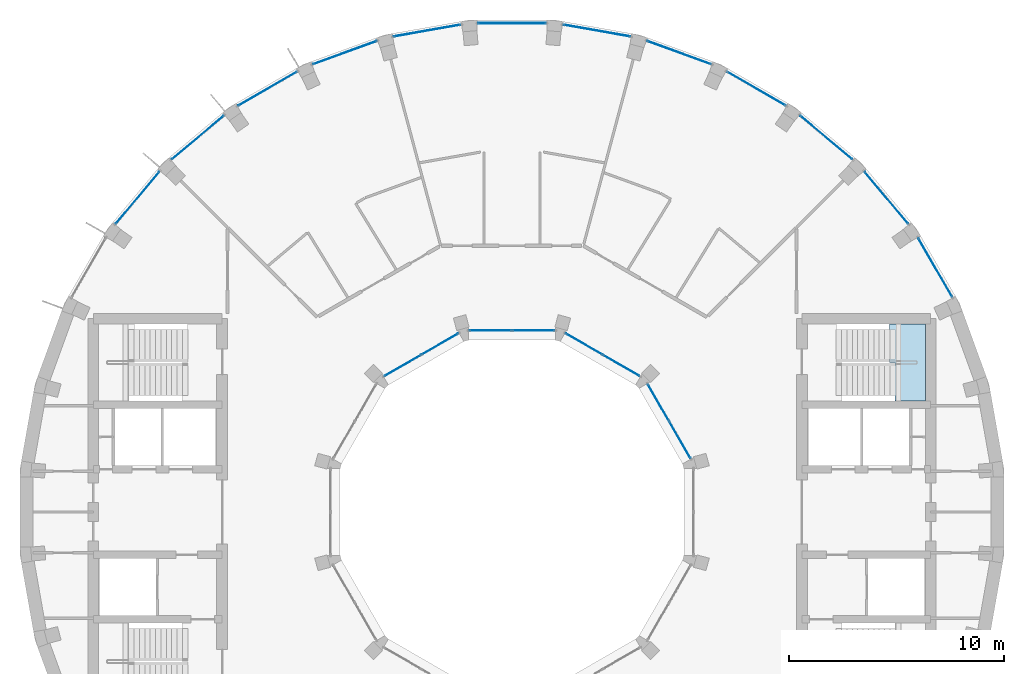
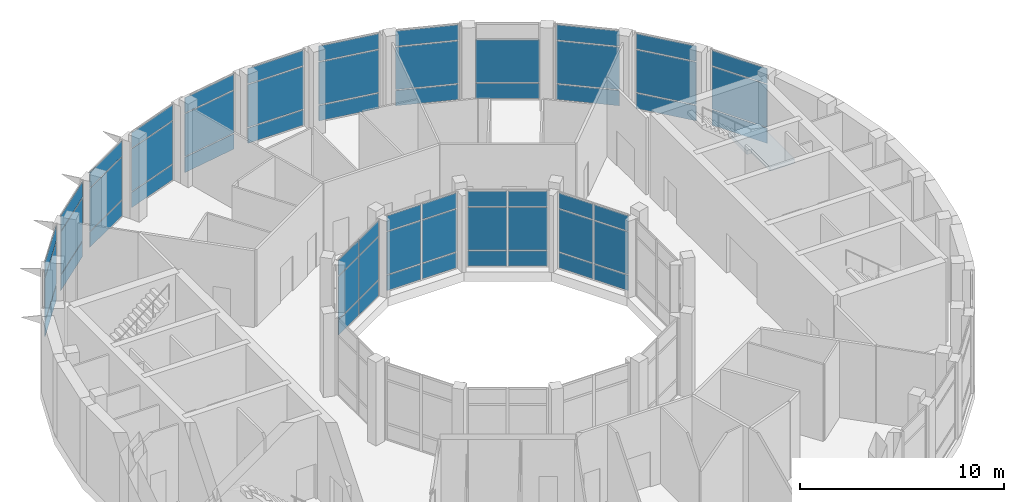
# One storey, part 12 of 19: 59 plates, 1 slab, 17 elements without a shape of their own.
"""IFC4 building model written with IfcOpenShell, lengths in metres."""

from ifc_helpers import new_model, si_unit, direction, frame, origin, origin_2d, place, context, subcontext, project, spatial, polyline, rectangle, outline, extrude, material, layer, layer_set, type_object, element, aggregate, save


model = new_model("IFC4")

# Units and contexts
model_context = context("Model", 3, precision=1e-05, world=origin(), true_north=direction((0.0, 1.0)))
body_context = subcontext(model_context, "Body", "Model", "MODEL_VIEW")
ifc_project = project(units=[si_unit("LENGTHUNIT", "METRE"), si_unit("AREAUNIT", "SQUARE_METRE"), si_unit("VOLUMEUNIT", "CUBIC_METRE"), si_unit("PLANEANGLEUNIT", "RADIAN"), si_unit("MASSUNIT", "GRAM", prefix="KILO")], contexts=[model_context])

# Site, building, storey
site_placement = place(None, origin())
site = spatial("IfcSite", under=ifc_project, at=site_placement, CompositionType="ELEMENT")
building_placement = place(site_placement, origin())
building = spatial("IfcBuilding", under=site, at=building_placement, Name="Saqina Gate Tower", CompositionType="ELEMENT")
storey_placement = place(building_placement, frame((0.0, 0.0, 224.699951171875)))
storey = spatial("IfcBuildingStorey", under=building, at=storey_placement, Name="L64", CompositionType="ELEMENT", Elevation=224.699951171875)

# Curtain wall, plates
ifc_material_1 = material(Name="Aluminium glazing", Category="aluminium")
ifc_layer_1 = layer(ifc_material_1, 0.159912109375)
ifc_layer_set_1 = layer_set([ifc_layer_1], Name="CWT-2")
curtain_wall_type_1 = type_object("IfcCurtainWallType", Name="CWT-2", PredefinedType="NOTDEFINED", material=ifc_layer_set_1)
curtain_wall_1_placement = place(storey_placement, origin())
curtain_wall_1 = element("IfcCurtainWall", 1, at=curtain_wall_1_placement, inside=storey, type_object=curtain_wall_type_1, Name="Sky lounge glazing facet 3", PredefinedType="NOTDEFINED")
ifc_material_2 = material(Name="Glass", Category="glass")
ifc_layer_2 = layer(ifc_material_2, 0.028076171875)
ifc_layer_set_2 = layer_set([ifc_layer_2], Name="CWT-2P")
plate_type_1 = type_object("IfcPlateType", Name="CWT-2P", PredefinedType="CURTAIN_PANEL", material=ifc_layer_set_2)
plate_1_placement = place(storey_placement, frame((19.712890625, 11.38134765625, 0.06005859375), z_axis=(0.0, 0.0, 1.0), x_axis=(-0.499982449212, 0.8660355365, 0.0)))
plate_1 = element("IfcPlate", 2, at=plate_1_placement, type_object=plate_type_1, Name="CW2-03 panel 1.1", PredefinedType="CURTAIN_PANEL", context=body_context, shape_type="SweptSolid", body=[
    extrude(rectangle(XDim=3.1318359375, YDim=0.028076171875, at=origin_2d()), origin(), (0.0, 0.0, 1.0), 0.909912109375),
])
plate_2_placement = place(storey_placement, frame((19.712890625, 11.38134765625, 1.030029296875), z_axis=(0.0, 0.0, 1.0), x_axis=(-0.499982449212, 0.8660355365, 0.0)))
plate_2 = element("IfcPlate", 3, at=plate_2_placement, type_object=plate_type_1, Name="CW2-03 panel 1.2", PredefinedType="CURTAIN_PANEL", context=body_context, shape_type="SweptSolid", body=[
    extrude(rectangle(XDim=3.1318359375, YDim=0.028076171875, at=origin_2d()), origin(), (0.0, 0.0, 1.0), 2.5400390625),
])
plate_3_placement = place(storey_placement, frame((19.712890625, 11.38134765625, 3.6298828125), z_axis=(0.0, 0.0, 1.0), x_axis=(-0.499982449212, 0.8660355365, 0.0)))
plate_3 = element("IfcPlate", 4, at=plate_3_placement, type_object=plate_type_1, Name="CW2-03 panel 1.3", PredefinedType="CURTAIN_PANEL", context=body_context, shape_type="SweptSolid", body=[
    extrude(rectangle(XDim=3.1318359375, YDim=0.028076171875, at=origin_2d()), origin(), (0.0, 0.0, 1.0), 0.909912109375),
])
aggregate(curtain_wall_1, [plate_1, plate_2, plate_3])

curtain_wall_2_placement = place(storey_placement, origin())
curtain_wall_2 = element("IfcCurtainWall", 5, at=curtain_wall_2_placement, inside=storey, type_object=curtain_wall_type_1, Name="Sky lounge glazing facet 4", PredefinedType="NOTDEFINED")
plate_4_placement = place(storey_placement, frame((17.43701171875, 14.63134765625, 0.06005859375), z_axis=(0.0, 0.0, 1.0), x_axis=(-0.642785214609, 0.766046452821, 0.0)))
plate_4 = element("IfcPlate", 6, at=plate_4_placement, type_object=plate_type_1, Name="CW2-04 panel 1.1", PredefinedType="CURTAIN_PANEL", context=body_context, shape_type="SweptSolid", body=[
    extrude(rectangle(XDim=3.131591796875, YDim=0.028076171875, at=origin_2d()), origin(), (0.0, 0.0, 1.0), 0.909912109375),
])
plate_5_placement = place(storey_placement, frame((17.43701171875, 14.63134765625, 1.030029296875), z_axis=(0.0, 0.0, 1.0), x_axis=(-0.642785214609, 0.766046452821, 0.0)))
plate_5 = element("IfcPlate", 7, at=plate_5_placement, type_object=plate_type_1, Name="CW2-04 panel 1.2", PredefinedType="CURTAIN_PANEL", context=body_context, shape_type="SweptSolid", body=[
    extrude(rectangle(XDim=3.131591796875, YDim=0.028076171875, at=origin_2d()), origin(), (0.0, 0.0, 1.0), 2.5400390625),
])
plate_6_placement = place(storey_placement, frame((17.43701171875, 14.63134765625, 3.6298828125), z_axis=(0.0, 0.0, 1.0), x_axis=(-0.642785214609, 0.766046452821, 0.0)))
plate_6 = element("IfcPlate", 8, at=plate_6_placement, type_object=plate_type_1, Name="CW2-04 panel 1.3", PredefinedType="CURTAIN_PANEL", context=body_context, shape_type="SweptSolid", body=[
    extrude(rectangle(XDim=3.131591796875, YDim=0.028076171875, at=origin_2d()), origin(), (0.0, 0.0, 1.0), 0.909912109375),
])
aggregate(curtain_wall_2, [plate_4, plate_5, plate_6])

curtain_wall_3_placement = place(storey_placement, origin())
curtain_wall_3 = element("IfcCurtainWall", 9, at=curtain_wall_3_placement, inside=storey, type_object=curtain_wall_type_1, Name="Sky lounge glazing facet 5", PredefinedType="NOTDEFINED")
plate_7_placement = place(storey_placement, frame((14.63134765625, 17.43701171875, 0.06005859375), z_axis=(0.0, 0.0, 1.0), x_axis=(-0.766046452821, 0.642785214609, 0.0)))
plate_7 = element("IfcPlate", 10, at=plate_7_placement, type_object=plate_type_1, Name="CW2-05 panel 1.1", PredefinedType="CURTAIN_PANEL", context=body_context, shape_type="SweptSolid", body=[
    extrude(rectangle(XDim=3.131591796875, YDim=0.028076171875, at=origin_2d()), origin(), (0.0, 0.0, 1.0), 0.909912109375),
])
plate_8_placement = place(storey_placement, frame((14.63134765625, 17.43701171875, 1.030029296875), z_axis=(0.0, 0.0, 1.0), x_axis=(-0.766046452821, 0.642785214609, 0.0)))
plate_8 = element("IfcPlate", 11, at=plate_8_placement, type_object=plate_type_1, Name="CW2-05 panel 1.2", PredefinedType="CURTAIN_PANEL", context=body_context, shape_type="SweptSolid", body=[
    extrude(rectangle(XDim=3.131591796875, YDim=0.028076171875, at=origin_2d()), origin(), (0.0, 0.0, 1.0), 2.5400390625),
])
plate_9_placement = place(storey_placement, frame((14.63134765625, 17.43701171875, 3.6298828125), z_axis=(0.0, 0.0, 1.0), x_axis=(-0.766046452821, 0.642785214609, 0.0)))
plate_9 = element("IfcPlate", 12, at=plate_9_placement, type_object=plate_type_1, Name="CW2-05 panel 1.3", PredefinedType="CURTAIN_PANEL", context=body_context, shape_type="SweptSolid", body=[
    extrude(rectangle(XDim=3.131591796875, YDim=0.028076171875, at=origin_2d()), origin(), (0.0, 0.0, 1.0), 0.909912109375),
])
aggregate(curtain_wall_3, [plate_7, plate_8, plate_9])

curtain_wall_4_placement = place(storey_placement, origin())
curtain_wall_4 = element("IfcCurtainWall", 13, at=curtain_wall_4_placement, inside=storey, type_object=curtain_wall_type_1, Name="Sky lounge glazing facet 6", PredefinedType="NOTDEFINED")
plate_10_placement = place(storey_placement, frame((11.38134765625, 19.712890625, 0.06005859375), z_axis=(0.0, 0.0, 1.0), x_axis=(-0.8660355365, 0.499982449212, 0.0)))
plate_10 = element("IfcPlate", 14, at=plate_10_placement, type_object=plate_type_1, Name="CW2-06 panel 1.1", PredefinedType="CURTAIN_PANEL", context=body_context, shape_type="SweptSolid", body=[
    extrude(rectangle(XDim=3.1318359375, YDim=0.028076171875, at=origin_2d()), origin(), (0.0, 0.0, 1.0), 0.909912109375),
])
plate_11_placement = place(storey_placement, frame((11.38134765625, 19.712890625, 1.030029296875), z_axis=(0.0, 0.0, 1.0), x_axis=(-0.8660355365, 0.499982449212, 0.0)))
plate_11 = element("IfcPlate", 15, at=plate_11_placement, type_object=plate_type_1, Name="CW2-06 panel 1.2", PredefinedType="CURTAIN_PANEL", context=body_context, shape_type="SweptSolid", body=[
    extrude(rectangle(XDim=3.1318359375, YDim=0.028076171875, at=origin_2d()), origin(), (0.0, 0.0, 1.0), 2.5400390625),
])
aggregate(curtain_wall_4, [plate_10, plate_11])

curtain_wall_5_placement = place(storey_placement, origin())
curtain_wall_5 = element("IfcCurtainWall", 16, at=curtain_wall_5_placement, inside=storey, type_object=curtain_wall_type_1, Name="Sky lounge glazing facet 7", PredefinedType="NOTDEFINED")
plate_12_placement = place(storey_placement, frame((7.78515625, 21.3896484375, 0.06005859375), z_axis=(0.0, 0.0, 1.0), x_axis=(-0.939697310402, 0.342007258437, 0.0)))
plate_12 = element("IfcPlate", 17, at=plate_12_placement, type_object=plate_type_1, Name="CW2-07 panel 1.1", PredefinedType="CURTAIN_PANEL", context=body_context, shape_type="SweptSolid", body=[
    extrude(rectangle(XDim=3.131591796875, YDim=0.028076171875, at=origin_2d()), origin(), (0.0, 0.0, 1.0), 0.909912109375),
])
plate_13_placement = place(storey_placement, frame((7.78515625, 21.3896484375, 1.030029296875), z_axis=(0.0, 0.0, 1.0), x_axis=(-0.939697310402, 0.342007258437, 0.0)))
plate_13 = element("IfcPlate", 18, at=plate_13_placement, type_object=plate_type_1, Name="CW2-07 panel 1.2", PredefinedType="CURTAIN_PANEL", context=body_context, shape_type="SweptSolid", body=[
    extrude(rectangle(XDim=3.131591796875, YDim=0.028076171875, at=origin_2d()), origin(), (0.0, 0.0, 1.0), 2.5400390625),
])
plate_14_placement = place(storey_placement, frame((7.78515625, 21.3896484375, 3.6298828125), z_axis=(0.0, 0.0, 1.0), x_axis=(-0.939697310402, 0.342007258437, 0.0)))
plate_14 = element("IfcPlate", 19, at=plate_14_placement, type_object=plate_type_1, Name="CW2-07 panel 1.3", PredefinedType="CURTAIN_PANEL", context=body_context, shape_type="SweptSolid", body=[
    extrude(rectangle(XDim=3.131591796875, YDim=0.028076171875, at=origin_2d()), origin(), (0.0, 0.0, 1.0), 0.909912109375),
])
aggregate(curtain_wall_5, [plate_12, plate_13, plate_14])

curtain_wall_6_placement = place(storey_placement, origin())
curtain_wall_6 = element("IfcCurtainWall", 20, at=curtain_wall_6_placement, inside=storey, type_object=curtain_wall_type_1, Name="Sky lounge glazing facet 8", PredefinedType="NOTDEFINED")
plate_15_placement = place(storey_placement, frame((3.95263671875, 22.416748046875, 0.06005859375), z_axis=(0.0, 0.0, 1.0), x_axis=(-0.984805222779, 0.173662526718, 0.0)))
plate_15 = element("IfcPlate", 21, at=plate_15_placement, type_object=plate_type_1, Name="CW2-08 panel 1.1", PredefinedType="CURTAIN_PANEL", context=body_context, shape_type="SweptSolid", body=[
    extrude(rectangle(XDim=3.131591796875, YDim=0.028076171875, at=origin_2d()), origin(), (0.0, 0.0, 1.0), 0.909912109375),
])
plate_16_placement = place(storey_placement, frame((3.95263671875, 22.416748046875, 1.030029296875), z_axis=(0.0, 0.0, 1.0), x_axis=(-0.984805222779, 0.173662526718, 0.0)))
plate_16 = element("IfcPlate", 22, at=plate_16_placement, type_object=plate_type_1, Name="CW2-08 panel 1.2", PredefinedType="CURTAIN_PANEL", context=body_context, shape_type="SweptSolid", body=[
    extrude(rectangle(XDim=3.131591796875, YDim=0.028076171875, at=origin_2d()), origin(), (0.0, 0.0, 1.0), 2.5400390625),
])
plate_17_placement = place(storey_placement, frame((3.95263671875, 22.416748046875, 3.6298828125), z_axis=(0.0, 0.0, 1.0), x_axis=(-0.984805222779, 0.173662526718, 0.0)))
plate_17 = element("IfcPlate", 23, at=plate_17_placement, type_object=plate_type_1, Name="CW2-08 panel 1.3", PredefinedType="CURTAIN_PANEL", context=body_context, shape_type="SweptSolid", body=[
    extrude(rectangle(XDim=3.131591796875, YDim=0.028076171875, at=origin_2d()), origin(), (0.0, 0.0, 1.0), 0.909912109375),
])
aggregate(curtain_wall_6, [plate_15, plate_16, plate_17])

curtain_wall_7_placement = place(storey_placement, origin())
curtain_wall_7 = element("IfcCurtainWall", 24, at=curtain_wall_7_placement, inside=storey, type_object=curtain_wall_type_1, Name="Sky lounge glazing facet 9", PredefinedType="NOTDEFINED")
plate_18_placement = place(storey_placement, frame((0.0, 22.762451171875, 0.06005859375), z_axis=(0.0, 0.0, 1.0), x_axis=(-1.0, 0.0, 0.0)))
plate_18 = element("IfcPlate", 25, at=plate_18_placement, type_object=plate_type_1, Name="CW2-09 panel 1.1", PredefinedType="CURTAIN_PANEL", context=body_context, shape_type="SweptSolid", body=[
    extrude(rectangle(XDim=3.131591796875, YDim=0.028076171875, at=origin_2d()), origin(), (0.0, 0.0, 1.0), 0.909912109375),
])
plate_19_placement = place(storey_placement, frame((0.0, 22.762451171875, 1.030029296875), z_axis=(0.0, 0.0, 1.0), x_axis=(-1.0, 0.0, 0.0)))
plate_19 = element("IfcPlate", 26, at=plate_19_placement, type_object=plate_type_1, Name="CW2-09 panel 1.2", PredefinedType="CURTAIN_PANEL", context=body_context, shape_type="SweptSolid", body=[
    extrude(rectangle(XDim=3.131591796875, YDim=0.028076171875, at=origin_2d()), origin(), (0.0, 0.0, 1.0), 2.5400390625),
])
plate_20_placement = place(storey_placement, frame((0.0, 22.762451171875, 3.6298828125), z_axis=(0.0, 0.0, 1.0), x_axis=(-1.0, 0.0, 0.0)))
plate_20 = element("IfcPlate", 27, at=plate_20_placement, type_object=plate_type_1, Name="CW2-09 panel 1.3", PredefinedType="CURTAIN_PANEL", context=body_context, shape_type="SweptSolid", body=[
    extrude(rectangle(XDim=3.131591796875, YDim=0.028076171875, at=origin_2d()), origin(), (0.0, 0.0, 1.0), 0.909912109375),
])
aggregate(curtain_wall_7, [plate_18, plate_19, plate_20])

curtain_wall_8_placement = place(storey_placement, origin())
curtain_wall_8 = element("IfcCurtainWall", 28, at=curtain_wall_8_placement, inside=storey, type_object=curtain_wall_type_1, Name="Sky lounge glazing facet 10", PredefinedType="NOTDEFINED")
plate_21_placement = place(storey_placement, frame((-3.95263671875, 22.416748046875, 0.06005859375), z_axis=(0.0, 0.0, 1.0), x_axis=(-0.984805222779, -0.173662526718, 0.0)))
plate_21 = element("IfcPlate", 29, at=plate_21_placement, type_object=plate_type_1, Name="CW2-10 panel 1.1", PredefinedType="CURTAIN_PANEL", context=body_context, shape_type="SweptSolid", body=[
    extrude(rectangle(XDim=3.131591796875, YDim=0.028076171875, at=origin_2d()), origin(), (0.0, 0.0, 1.0), 0.909912109375),
])
plate_22_placement = place(storey_placement, frame((-3.95263671875, 22.416748046875, 1.030029296875), z_axis=(0.0, 0.0, 1.0), x_axis=(-0.984805222779, -0.173662526718, 0.0)))
plate_22 = element("IfcPlate", 30, at=plate_22_placement, type_object=plate_type_1, Name="CW2-10 panel 1.2", PredefinedType="CURTAIN_PANEL", context=body_context, shape_type="SweptSolid", body=[
    extrude(rectangle(XDim=3.131591796875, YDim=0.028076171875, at=origin_2d()), origin(), (0.0, 0.0, 1.0), 2.5400390625),
])
plate_23_placement = place(storey_placement, frame((-3.95263671875, 22.416748046875, 3.6298828125), z_axis=(0.0, 0.0, 1.0), x_axis=(-0.984805222779, -0.173662526718, 0.0)))
plate_23 = element("IfcPlate", 31, at=plate_23_placement, type_object=plate_type_1, Name="CW2-10 panel 1.3", PredefinedType="CURTAIN_PANEL", context=body_context, shape_type="SweptSolid", body=[
    extrude(rectangle(XDim=3.131591796875, YDim=0.028076171875, at=origin_2d()), origin(), (0.0, 0.0, 1.0), 0.909912109375),
])
aggregate(curtain_wall_8, [plate_21, plate_22, plate_23])

curtain_wall_9_placement = place(storey_placement, origin())
curtain_wall_9 = element("IfcCurtainWall", 32, at=curtain_wall_9_placement, inside=storey, type_object=curtain_wall_type_1, Name="Sky lounge glazing facet 11", PredefinedType="NOTDEFINED")
plate_24_placement = place(storey_placement, frame((-7.78515625, 21.3896484375, 0.06005859375), z_axis=(0.0, 0.0, 1.0), x_axis=(-0.939697310402, -0.342007258437, 0.0)))
plate_24 = element("IfcPlate", 33, at=plate_24_placement, type_object=plate_type_1, Name="CW2-11 panel 1.1", PredefinedType="CURTAIN_PANEL", context=body_context, shape_type="SweptSolid", body=[
    extrude(rectangle(XDim=3.131591796875, YDim=0.028076171875, at=origin_2d()), origin(), (0.0, 0.0, 1.0), 0.909912109375),
])
plate_25_placement = place(storey_placement, frame((-7.78515625, 21.3896484375, 1.030029296875), z_axis=(0.0, 0.0, 1.0), x_axis=(-0.939697310402, -0.342007258437, 0.0)))
plate_25 = element("IfcPlate", 34, at=plate_25_placement, type_object=plate_type_1, Name="CW2-11 panel 1.2", PredefinedType="CURTAIN_PANEL", context=body_context, shape_type="SweptSolid", body=[
    extrude(rectangle(XDim=3.131591796875, YDim=0.028076171875, at=origin_2d()), origin(), (0.0, 0.0, 1.0), 2.5400390625),
])
plate_26_placement = place(storey_placement, frame((-7.78515625, 21.3896484375, 3.6298828125), z_axis=(0.0, 0.0, 1.0), x_axis=(-0.939697310402, -0.342007258437, 0.0)))
plate_26 = element("IfcPlate", 35, at=plate_26_placement, type_object=plate_type_1, Name="CW2-11 panel 1.3", PredefinedType="CURTAIN_PANEL", context=body_context, shape_type="SweptSolid", body=[
    extrude(rectangle(XDim=3.131591796875, YDim=0.028076171875, at=origin_2d()), origin(), (0.0, 0.0, 1.0), 0.909912109375),
])
aggregate(curtain_wall_9, [plate_24, plate_25, plate_26])

curtain_wall_10_placement = place(storey_placement, origin())
curtain_wall_10 = element("IfcCurtainWall", 36, at=curtain_wall_10_placement, inside=storey, type_object=curtain_wall_type_1, Name="Sky lounge glazing facet 12", PredefinedType="NOTDEFINED")
plate_27_placement = place(storey_placement, frame((-11.38134765625, 19.712890625, 0.06005859375), z_axis=(0.0, 0.0, 1.0), x_axis=(-0.8660355365, -0.499982449212, 0.0)))
plate_27 = element("IfcPlate", 37, at=plate_27_placement, type_object=plate_type_1, Name="CW2-12 panel 1.1", PredefinedType="CURTAIN_PANEL", context=body_context, shape_type="SweptSolid", body=[
    extrude(rectangle(XDim=3.1318359375, YDim=0.028076171875, at=origin_2d()), origin(), (0.0, 0.0, 1.0), 0.909912109375),
])
plate_28_placement = place(storey_placement, frame((-11.38134765625, 19.712890625, 1.030029296875), z_axis=(0.0, 0.0, 1.0), x_axis=(-0.8660355365, -0.499982449212, 0.0)))
plate_28 = element("IfcPlate", 38, at=plate_28_placement, type_object=plate_type_1, Name="CW2-12 panel 1.2", PredefinedType="CURTAIN_PANEL", context=body_context, shape_type="SweptSolid", body=[
    extrude(rectangle(XDim=3.1318359375, YDim=0.028076171875, at=origin_2d()), origin(), (0.0, 0.0, 1.0), 2.5400390625),
])
plate_29_placement = place(storey_placement, frame((-11.38134765625, 19.712890625, 3.6298828125), z_axis=(0.0, 0.0, 1.0), x_axis=(-0.8660355365, -0.499982449212, 0.0)))
plate_29 = element("IfcPlate", 39, at=plate_29_placement, type_object=plate_type_1, Name="CW2-12 panel 1.3", PredefinedType="CURTAIN_PANEL", context=body_context, shape_type="SweptSolid", body=[
    extrude(rectangle(XDim=3.1318359375, YDim=0.028076171875, at=origin_2d()), origin(), (0.0, 0.0, 1.0), 0.909912109375),
])
aggregate(curtain_wall_10, [plate_27, plate_28, plate_29])

curtain_wall_11_placement = place(storey_placement, origin())
curtain_wall_11 = element("IfcCurtainWall", 40, at=curtain_wall_11_placement, inside=storey, type_object=curtain_wall_type_1, Name="Sky lounge glazing facet 13", PredefinedType="NOTDEFINED")
plate_30_placement = place(storey_placement, frame((-14.63134765625, 17.43701171875, 0.06005859375), z_axis=(0.0, 0.0, 1.0), x_axis=(-0.766046452821, -0.642785214609, 0.0)))
plate_30 = element("IfcPlate", 41, at=plate_30_placement, type_object=plate_type_1, Name="CW2-13 panel 1.1", PredefinedType="CURTAIN_PANEL", context=body_context, shape_type="SweptSolid", body=[
    extrude(rectangle(XDim=3.131591796875, YDim=0.028076171875, at=origin_2d()), origin(), (0.0, 0.0, 1.0), 0.909912109375),
])
plate_31_placement = place(storey_placement, frame((-14.63134765625, 17.43701171875, 1.030029296875), z_axis=(0.0, 0.0, 1.0), x_axis=(-0.766046452821, -0.642785214609, 0.0)))
plate_31 = element("IfcPlate", 42, at=plate_31_placement, type_object=plate_type_1, Name="CW2-13 panel 1.2", PredefinedType="CURTAIN_PANEL", context=body_context, shape_type="SweptSolid", body=[
    extrude(rectangle(XDim=3.131591796875, YDim=0.028076171875, at=origin_2d()), origin(), (0.0, 0.0, 1.0), 2.5400390625),
])
plate_32_placement = place(storey_placement, frame((-14.63134765625, 17.43701171875, 3.6298828125), z_axis=(0.0, 0.0, 1.0), x_axis=(-0.766046452821, -0.642785214609, 0.0)))
plate_32 = element("IfcPlate", 43, at=plate_32_placement, type_object=plate_type_1, Name="CW2-13 panel 1.3", PredefinedType="CURTAIN_PANEL", context=body_context, shape_type="SweptSolid", body=[
    extrude(rectangle(XDim=3.131591796875, YDim=0.028076171875, at=origin_2d()), origin(), (0.0, 0.0, 1.0), 0.909912109375),
])
aggregate(curtain_wall_11, [plate_30, plate_31, plate_32])

curtain_wall_12_placement = place(storey_placement, origin())
curtain_wall_12 = element("IfcCurtainWall", 44, at=curtain_wall_12_placement, inside=storey, type_object=curtain_wall_type_1, Name="Sky lounge glazing facet 14", PredefinedType="NOTDEFINED")
plate_33_placement = place(storey_placement, frame((-17.43701171875, 14.63134765625, 0.06005859375), z_axis=(0.0, 0.0, 1.0), x_axis=(-0.642785214609, -0.766046452821, 0.0)))
plate_33 = element("IfcPlate", 45, at=plate_33_placement, type_object=plate_type_1, Name="CW2-14 panel 1.1", PredefinedType="CURTAIN_PANEL", context=body_context, shape_type="SweptSolid", body=[
    extrude(rectangle(XDim=3.131591796875, YDim=0.028076171875, at=origin_2d()), origin(), (0.0, 0.0, 1.0), 0.909912109375),
])
plate_34_placement = place(storey_placement, frame((-17.43701171875, 14.63134765625, 1.030029296875), z_axis=(0.0, 0.0, 1.0), x_axis=(-0.642785214609, -0.766046452821, 0.0)))
plate_34 = element("IfcPlate", 46, at=plate_34_placement, type_object=plate_type_1, Name="CW2-14 panel 1.2", PredefinedType="CURTAIN_PANEL", context=body_context, shape_type="SweptSolid", body=[
    extrude(rectangle(XDim=3.131591796875, YDim=0.028076171875, at=origin_2d()), origin(), (0.0, 0.0, 1.0), 2.5400390625),
])
plate_35_placement = place(storey_placement, frame((-17.43701171875, 14.63134765625, 3.6298828125), z_axis=(0.0, 0.0, 1.0), x_axis=(-0.642785214609, -0.766046452821, 0.0)))
plate_35 = element("IfcPlate", 47, at=plate_35_placement, type_object=plate_type_1, Name="CW2-14 panel 1.3", PredefinedType="CURTAIN_PANEL", context=body_context, shape_type="SweptSolid", body=[
    extrude(rectangle(XDim=3.131591796875, YDim=0.028076171875, at=origin_2d()), origin(), (0.0, 0.0, 1.0), 0.909912109375),
])
aggregate(curtain_wall_12, [plate_33, plate_34, plate_35])

ifc_material_3 = material(Name="Aluminium glazing", Category="aluminium")
ifc_layer_3 = layer(ifc_material_3, 0.159912109375)
ifc_layer_set_3 = layer_set([ifc_layer_3], Name="CWT-3")
curtain_wall_type_2 = type_object("IfcCurtainWallType", Name="CWT-3", PredefinedType="NOTDEFINED", material=ifc_layer_set_3)
curtain_wall_13_placement = place(storey_placement, origin())
curtain_wall_13 = element("IfcCurtainWall", 48, at=curtain_wall_13_placement, inside=storey, type_object=curtain_wall_type_2, Name="Sky lounge well glazing L64 facet 1", PredefinedType="NOTDEFINED")
ifc_material_4 = material(Name="Glass", Category="glass")
ifc_layer_4 = layer(ifc_material_4, 0.028076171875)
ifc_layer_set_4 = layer_set([ifc_layer_4], Name="CWT-3P")
plate_type_2 = type_object("IfcPlateType", Name="CWT-3P", PredefinedType="CURTAIN_PANEL", material=ifc_layer_set_4)
plate_36_placement = place(storey_placement, frame((7.81787109375, 3.359130859375, 0.06005859375), z_axis=(0.0, 0.0, 1.0), x_axis=(-0.500002550729, 0.866023931115, 0.0)))
plate_36 = element("IfcPlate", 49, at=plate_36_placement, type_object=plate_type_2, Name="CW3-01 panel 1.1", PredefinedType="CURTAIN_PANEL", context=body_context, shape_type="SweptSolid", body=[
    extrude(rectangle(XDim=1.939453125, YDim=0.028076171875, at=origin_2d()), origin(), (0.0, 0.0, 1.0), 0.909912109375),
])
plate_37_placement = place(storey_placement, frame((7.81787109375, 3.359130859375, 1.030029296875), z_axis=(0.0, 0.0, 1.0), x_axis=(-0.500002550729, 0.866023931115, 0.0)))
plate_37 = element("IfcPlate", 50, at=plate_37_placement, type_object=plate_type_2, Name="CW3-01 panel 1.2", PredefinedType="CURTAIN_PANEL", context=body_context, shape_type="SweptSolid", body=[
    extrude(rectangle(XDim=1.939453125, YDim=0.028076171875, at=origin_2d()), origin(), (0.0, 0.0, 1.0), 2.5400390625),
])
plate_38_placement = place(storey_placement, frame((7.81787109375, 3.359130859375, 3.6298828125), z_axis=(0.0, 0.0, 1.0), x_axis=(-0.500002550729, 0.866023931115, 0.0)))
plate_38 = element("IfcPlate", 51, at=plate_38_placement, type_object=plate_type_2, Name="CW3-01 panel 1.3", PredefinedType="CURTAIN_PANEL", context=body_context, shape_type="SweptSolid", body=[
    extrude(rectangle(XDim=1.939453125, YDim=0.028076171875, at=origin_2d()), origin(), (0.0, 0.0, 1.0), 0.909912109375),
])
plate_39_placement = place(storey_placement, frame((6.818115234375, 5.0908203125, 0.06005859375), z_axis=(0.0, 0.0, 1.0), x_axis=(-0.500002550729, 0.866023931115, 0.0)))
plate_39 = element("IfcPlate", 52, at=plate_39_placement, type_object=plate_type_2, Name="CW3-01 panel 2.1", PredefinedType="CURTAIN_PANEL", context=body_context, shape_type="SweptSolid", body=[
    extrude(rectangle(XDim=1.939453125, YDim=0.028076171875, at=origin_2d()), origin(), (0.0, 0.0, 1.0), 0.909912109375),
])
plate_40_placement = place(storey_placement, frame((6.818115234375, 5.0908203125, 1.030029296875), z_axis=(0.0, 0.0, 1.0), x_axis=(-0.500002550729, 0.866023931115, 0.0)))
plate_40 = element("IfcPlate", 53, at=plate_40_placement, type_object=plate_type_2, Name="CW3-01 panel 2.2", PredefinedType="CURTAIN_PANEL", context=body_context, shape_type="SweptSolid", body=[
    extrude(rectangle(XDim=1.939453125, YDim=0.028076171875, at=origin_2d()), origin(), (0.0, 0.0, 1.0), 2.5400390625),
])
plate_41_placement = place(storey_placement, frame((6.818115234375, 5.0908203125, 3.6298828125), z_axis=(0.0, 0.0, 1.0), x_axis=(-0.500002550729, 0.866023931115, 0.0)))
plate_41 = element("IfcPlate", 54, at=plate_41_placement, type_object=plate_type_2, Name="CW3-01 panel 2.3", PredefinedType="CURTAIN_PANEL", context=body_context, shape_type="SweptSolid", body=[
    extrude(rectangle(XDim=1.939453125, YDim=0.028076171875, at=origin_2d()), origin(), (0.0, 0.0, 1.0), 0.909912109375),
])
aggregate(curtain_wall_13, [plate_36, plate_37, plate_38, plate_39, plate_40, plate_41])

curtain_wall_14_placement = place(storey_placement, origin())
curtain_wall_14 = element("IfcCurtainWall", 55, at=curtain_wall_14_placement, inside=storey, type_object=curtain_wall_type_2, Name="Sky lounge well glazing L64 facet 2", PredefinedType="NOTDEFINED")
plate_42_placement = place(storey_placement, frame((5.0908203125, 6.818115234375, 0.06005859375), z_axis=(0.0, 0.0, 1.0), x_axis=(-0.866023931115, 0.500002550729, 0.0)))
plate_42 = element("IfcPlate", 56, at=plate_42_placement, type_object=plate_type_2, Name="CW3-02 panel 1.1", PredefinedType="CURTAIN_PANEL", context=body_context, shape_type="SweptSolid", body=[
    extrude(rectangle(XDim=1.939453125, YDim=0.028076171875, at=origin_2d()), origin(), (0.0, 0.0, 1.0), 0.909912109375),
])
plate_43_placement = place(storey_placement, frame((5.0908203125, 6.818115234375, 1.030029296875), z_axis=(0.0, 0.0, 1.0), x_axis=(-0.866023931115, 0.500002550729, 0.0)))
plate_43 = element("IfcPlate", 57, at=plate_43_placement, type_object=plate_type_2, Name="CW3-02 panel 1.2", PredefinedType="CURTAIN_PANEL", context=body_context, shape_type="SweptSolid", body=[
    extrude(rectangle(XDim=1.939453125, YDim=0.028076171875, at=origin_2d()), origin(), (0.0, 0.0, 1.0), 2.5400390625),
])
plate_44_placement = place(storey_placement, frame((5.0908203125, 6.818115234375, 3.6298828125), z_axis=(0.0, 0.0, 1.0), x_axis=(-0.866023931115, 0.500002550729, 0.0)))
plate_44 = element("IfcPlate", 58, at=plate_44_placement, type_object=plate_type_2, Name="CW3-02 panel 1.3", PredefinedType="CURTAIN_PANEL", context=body_context, shape_type="SweptSolid", body=[
    extrude(rectangle(XDim=1.939453125, YDim=0.028076171875, at=origin_2d()), origin(), (0.0, 0.0, 1.0), 0.909912109375),
])
plate_45_placement = place(storey_placement, frame((3.359130859375, 7.81787109375, 0.06005859375), z_axis=(0.0, 0.0, 1.0), x_axis=(-0.866023931115, 0.500002550729, 0.0)))
plate_45 = element("IfcPlate", 59, at=plate_45_placement, type_object=plate_type_2, Name="CW3-02 panel 2.1", PredefinedType="CURTAIN_PANEL", context=body_context, shape_type="SweptSolid", body=[
    extrude(rectangle(XDim=1.939453125, YDim=0.028076171875, at=origin_2d()), origin(), (0.0, 0.0, 1.0), 0.909912109375),
])
plate_46_placement = place(storey_placement, frame((3.359130859375, 7.81787109375, 1.030029296875), z_axis=(0.0, 0.0, 1.0), x_axis=(-0.866023931115, 0.500002550729, 0.0)))
plate_46 = element("IfcPlate", 60, at=plate_46_placement, type_object=plate_type_2, Name="CW3-02 panel 2.2", PredefinedType="CURTAIN_PANEL", context=body_context, shape_type="SweptSolid", body=[
    extrude(rectangle(XDim=1.939453125, YDim=0.028076171875, at=origin_2d()), origin(), (0.0, 0.0, 1.0), 2.5400390625),
])
plate_47_placement = place(storey_placement, frame((3.359130859375, 7.81787109375, 3.6298828125), z_axis=(0.0, 0.0, 1.0), x_axis=(-0.866023931115, 0.500002550729, 0.0)))
plate_47 = element("IfcPlate", 61, at=plate_47_placement, type_object=plate_type_2, Name="CW3-02 panel 2.3", PredefinedType="CURTAIN_PANEL", context=body_context, shape_type="SweptSolid", body=[
    extrude(rectangle(XDim=1.939453125, YDim=0.028076171875, at=origin_2d()), origin(), (0.0, 0.0, 1.0), 0.909912109375),
])
aggregate(curtain_wall_14, [plate_42, plate_43, plate_44, plate_45, plate_46, plate_47])

curtain_wall_15_placement = place(storey_placement, origin())
curtain_wall_15 = element("IfcCurtainWall", 62, at=curtain_wall_15_placement, inside=storey, type_object=curtain_wall_type_2, Name="Sky lounge well glazing L64 facet 3", PredefinedType="NOTDEFINED")
plate_48_placement = place(storey_placement, frame((0.999755859375, 8.449951171875, 0.06005859375), z_axis=(0.0, 0.0, 1.0), x_axis=(-1.0, 0.0, 0.0)))
plate_48 = element("IfcPlate", 63, at=plate_48_placement, type_object=plate_type_2, Name="CW3-03 panel 1.1", PredefinedType="CURTAIN_PANEL", context=body_context, shape_type="SweptSolid", body=[
    extrude(rectangle(XDim=1.939453125, YDim=0.028076171875, at=origin_2d()), origin(), (0.0, 0.0, 1.0), 0.909912109375),
])
plate_49_placement = place(storey_placement, frame((0.999755859375, 8.449951171875, 1.030029296875), z_axis=(0.0, 0.0, 1.0), x_axis=(-1.0, 0.0, 0.0)))
plate_49 = element("IfcPlate", 64, at=plate_49_placement, type_object=plate_type_2, Name="CW3-03 panel 1.2", PredefinedType="CURTAIN_PANEL", context=body_context, shape_type="SweptSolid", body=[
    extrude(rectangle(XDim=1.939453125, YDim=0.028076171875, at=origin_2d()), origin(), (0.0, 0.0, 1.0), 2.5400390625),
])
plate_50_placement = place(storey_placement, frame((0.999755859375, 8.449951171875, 3.6298828125), z_axis=(0.0, 0.0, 1.0), x_axis=(-1.0, 0.0, 0.0)))
plate_50 = element("IfcPlate", 65, at=plate_50_placement, type_object=plate_type_2, Name="CW3-03 panel 1.3", PredefinedType="CURTAIN_PANEL", context=body_context, shape_type="SweptSolid", body=[
    extrude(rectangle(XDim=1.939453125, YDim=0.028076171875, at=origin_2d()), origin(), (0.0, 0.0, 1.0), 0.909912109375),
])
plate_51_placement = place(storey_placement, frame((-0.999755859375, 8.449951171875, 0.06005859375), z_axis=(0.0, 0.0, 1.0), x_axis=(-1.0, 0.0, 0.0)))
plate_51 = element("IfcPlate", 66, at=plate_51_placement, type_object=plate_type_2, Name="CW3-03 panel 2.1", PredefinedType="CURTAIN_PANEL", context=body_context, shape_type="SweptSolid", body=[
    extrude(rectangle(XDim=1.939453125, YDim=0.028076171875, at=origin_2d()), origin(), (0.0, 0.0, 1.0), 0.909912109375),
])
plate_52_placement = place(storey_placement, frame((-0.999755859375, 8.449951171875, 1.030029296875), z_axis=(0.0, 0.0, 1.0), x_axis=(-1.0, 0.0, 0.0)))
plate_52 = element("IfcPlate", 67, at=plate_52_placement, type_object=plate_type_2, Name="CW3-03 panel 2.2", PredefinedType="CURTAIN_PANEL", context=body_context, shape_type="SweptSolid", body=[
    extrude(rectangle(XDim=1.939453125, YDim=0.028076171875, at=origin_2d()), origin(), (0.0, 0.0, 1.0), 2.5400390625),
])
plate_53_placement = place(storey_placement, frame((-0.999755859375, 8.449951171875, 3.6298828125), z_axis=(0.0, 0.0, 1.0), x_axis=(-1.0, 0.0, 0.0)))
plate_53 = element("IfcPlate", 68, at=plate_53_placement, type_object=plate_type_2, Name="CW3-03 panel 2.3", PredefinedType="CURTAIN_PANEL", context=body_context, shape_type="SweptSolid", body=[
    extrude(rectangle(XDim=1.939453125, YDim=0.028076171875, at=origin_2d()), origin(), (0.0, 0.0, 1.0), 0.909912109375),
])
aggregate(curtain_wall_15, [plate_48, plate_49, plate_50, plate_51, plate_52, plate_53])

curtain_wall_16_placement = place(storey_placement, origin())
curtain_wall_16 = element("IfcCurtainWall", 69, at=curtain_wall_16_placement, inside=storey, type_object=curtain_wall_type_2, Name="Sky lounge well glazing L64 facet 4", PredefinedType="NOTDEFINED")
plate_54_placement = place(storey_placement, frame((-3.359130859375, 7.81787109375, 0.06005859375), z_axis=(0.0, 0.0, 1.0), x_axis=(-0.866023931115, -0.500002550729, 0.0)))
plate_54 = element("IfcPlate", 70, at=plate_54_placement, type_object=plate_type_2, Name="CW3-04 panel 1.1", PredefinedType="CURTAIN_PANEL", context=body_context, shape_type="SweptSolid", body=[
    extrude(rectangle(XDim=1.939453125, YDim=0.028076171875, at=origin_2d()), origin(), (0.0, 0.0, 1.0), 0.909912109375),
])
plate_55_placement = place(storey_placement, frame((-3.359130859375, 7.81787109375, 1.030029296875), z_axis=(0.0, 0.0, 1.0), x_axis=(-0.866023931115, -0.500002550729, 0.0)))
plate_55 = element("IfcPlate", 71, at=plate_55_placement, type_object=plate_type_2, Name="CW3-04 panel 1.2", PredefinedType="CURTAIN_PANEL", context=body_context, shape_type="SweptSolid", body=[
    extrude(rectangle(XDim=1.939453125, YDim=0.028076171875, at=origin_2d()), origin(), (0.0, 0.0, 1.0), 2.5400390625),
])
plate_56_placement = place(storey_placement, frame((-3.359130859375, 7.81787109375, 3.6298828125), z_axis=(0.0, 0.0, 1.0), x_axis=(-0.866023931115, -0.500002550729, 0.0)))
plate_56 = element("IfcPlate", 72, at=plate_56_placement, type_object=plate_type_2, Name="CW3-04 panel 1.3", PredefinedType="CURTAIN_PANEL", context=body_context, shape_type="SweptSolid", body=[
    extrude(rectangle(XDim=1.939453125, YDim=0.028076171875, at=origin_2d()), origin(), (0.0, 0.0, 1.0), 0.909912109375),
])
plate_57_placement = place(storey_placement, frame((-5.0908203125, 6.818115234375, 0.06005859375), z_axis=(0.0, 0.0, 1.0), x_axis=(-0.866023931115, -0.500002550729, 0.0)))
plate_57 = element("IfcPlate", 73, at=plate_57_placement, type_object=plate_type_2, Name="CW3-04 panel 2.1", PredefinedType="CURTAIN_PANEL", context=body_context, shape_type="SweptSolid", body=[
    extrude(rectangle(XDim=1.939453125, YDim=0.028076171875, at=origin_2d()), origin(), (0.0, 0.0, 1.0), 0.909912109375),
])
plate_58_placement = place(storey_placement, frame((-5.0908203125, 6.818115234375, 1.030029296875), z_axis=(0.0, 0.0, 1.0), x_axis=(-0.866023931115, -0.500002550729, 0.0)))
plate_58 = element("IfcPlate", 74, at=plate_58_placement, type_object=plate_type_2, Name="CW3-04 panel 2.2", PredefinedType="CURTAIN_PANEL", context=body_context, shape_type="SweptSolid", body=[
    extrude(rectangle(XDim=1.939453125, YDim=0.028076171875, at=origin_2d()), origin(), (0.0, 0.0, 1.0), 2.5400390625),
])
plate_59_placement = place(storey_placement, frame((-5.0908203125, 6.818115234375, 3.6298828125), z_axis=(0.0, 0.0, 1.0), x_axis=(-0.866023931115, -0.500002550729, 0.0)))
plate_59 = element("IfcPlate", 75, at=plate_59_placement, type_object=plate_type_2, Name="CW3-04 panel 2.3", PredefinedType="CURTAIN_PANEL", context=body_context, shape_type="SweptSolid", body=[
    extrude(rectangle(XDim=1.939453125, YDim=0.028076171875, at=origin_2d()), origin(), (0.0, 0.0, 1.0), 0.909912109375),
])
aggregate(curtain_wall_16, [plate_54, plate_55, plate_56, plate_57, plate_58, plate_59])

# Stair, slab
ifc_material_5 = material(Name="Concrete C40/50", Category="concrete")
stair_type = type_object("IfcStairType", Name="EXIT STAIR", PredefinedType="HALF_TURN_STAIR", material=ifc_material_5)
stair_placement = place(storey_placement, origin())
stair = element("IfcStair", 76, at=stair_placement, inside=storey, type_object=stair_type, Name="EXIT STAIR 1", PredefinedType="HALF_TURN_STAIR")
ifc_material_6 = material(Name="Concrete C40/50", Category="concrete")
ifc_layer_5 = layer(ifc_material_6, 0.25)
ifc_layer_set_5 = layer_set([ifc_layer_5], Name="Concrete C40/50")
slab_type = type_object("IfcSlabType", Name="EXIT STAIR LANDING", PredefinedType="LANDING", material=ifc_layer_set_5)
slab_placement = place(storey_placement, frame((0.0, 0.0, 2.25)))
slab = element("IfcSlab", 77, at=slab_placement, type_object=slab_type, Name="EXIT STAIR 1 LANDING 1", PredefinedType="LANDING", context=body_context, shape_type="SweptSolid", body=[
    extrude(outline(polyline([(19.25, 8.75), (19.25, 5.175048828125), (17.844970703125, 5.175048828125), (17.844970703125, 6.96240234375), (17.57568359375, 6.96240234375), (17.57568359375, 8.75), (17.844970703125, 8.75), (17.85009765625, 8.75), (19.25, 8.75)])), origin(), (0.0, 0.0, 1.0), 0.25),
])
aggregate(stair, [slab])

save(model, "model.ifc")
